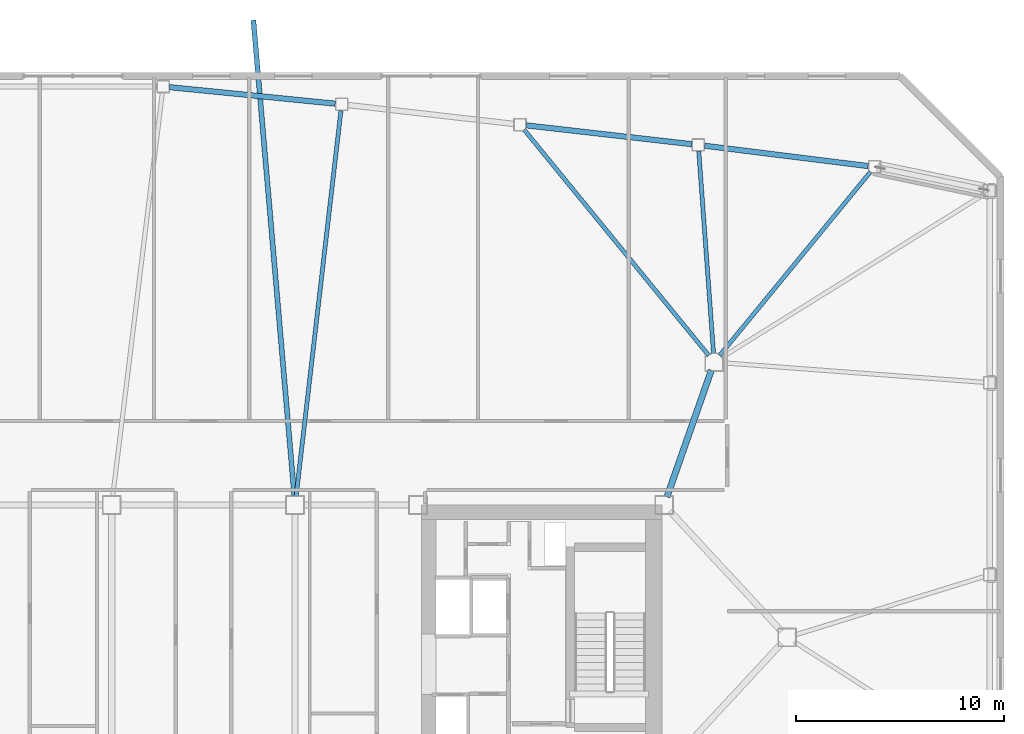
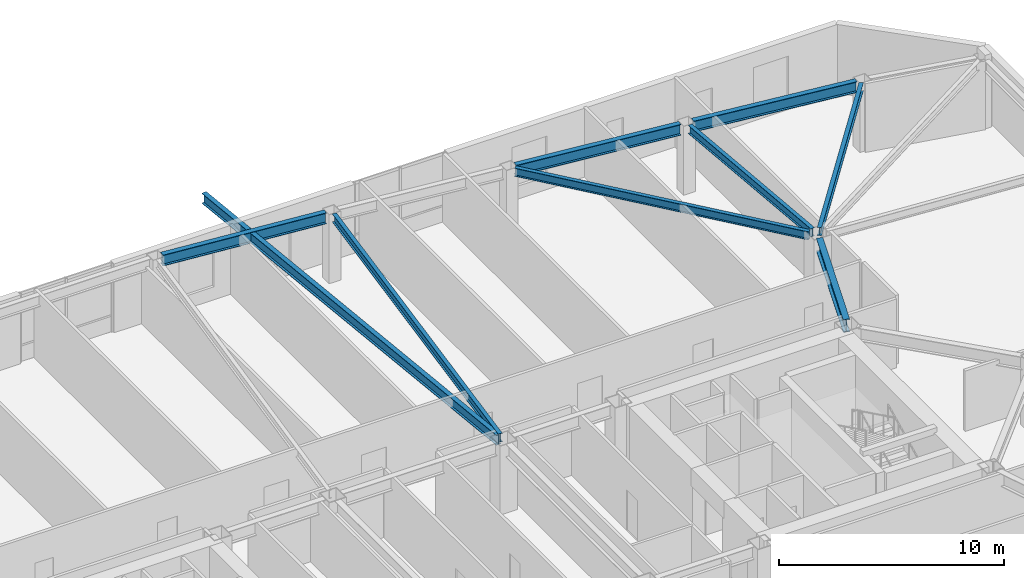
# One storey, part 7 of 18: 9 beams.
"""IFC4 building model written with IfcOpenShell, lengths in metres."""

from ifc_helpers import new_model, si_unit, direction, frame, origin, origin_2d, place, context, subcontext, project, spatial, i_section, extrude, material, material_profile, profile_set, type_object, element, save


model = new_model("IFC4")

# Units and contexts
model_context = context("Model", 3, precision=1e-05, world=origin(), true_north=direction((0.0, 1.0)))
body_context = subcontext(model_context, "Body", "Model", "MODEL_VIEW")
ifc_project = project(units=[si_unit("LENGTHUNIT", "METRE"), si_unit("AREAUNIT", "SQUARE_METRE"), si_unit("VOLUMEUNIT", "CUBIC_METRE"), si_unit("PLANEANGLEUNIT", "RADIAN"), si_unit("MASSUNIT", "GRAM", prefix="KILO")], contexts=[model_context])

# Site, building, storey
site_placement = place(None, origin())
site = spatial("IfcSite", under=ifc_project, at=site_placement, CompositionType="ELEMENT")
building_placement = place(site_placement, origin())
building = spatial("IfcBuilding", under=site, at=building_placement, Name="Tavrogorsk Clinical Tower", CompositionType="ELEMENT")
storey_placement = place(building_placement, frame((0.0, 0.0, 168.199951171875)))
storey = spatial("IfcBuildingStorey", under=building, at=storey_placement, Name="L38", CompositionType="ELEMENT", Elevation=168.199951171875)

# Beams
ifc_material_1 = material(Name="Structural steel S355", Category="steel")
ifc_material_profile_1 = material_profile(ifc_material_1, i_section(OverallWidth=0.199951171875, OverallDepth=0.449951171875, WebThickness=0.011474609375, FlangeThickness=0.01806640625, at=origin_2d()), Name="B-450x200x11.5x18")
ifc_profile_set_1 = profile_set([ifc_material_profile_1], Name="Structural steel S355")
beam_type_1 = type_object("IfcBeamType", Name="FloorBeam_B450", PredefinedType="BEAM", material=ifc_profile_set_1)
beam_1_placement = place(storey_placement, frame((24.76025390625, 13.516845703125, 3.51513671875), z_axis=(0.634632561694, 0.772814021377, 0.0), x_axis=(-0.772814021377, 0.634632561694, 0.0)))
element("IfcBeam", 1, at=beam_1_placement, inside=storey, type_object=beam_type_1, Name="L38 Radial Floor Beam N1", PredefinedType="BEAM", context=body_context, shape_type="SweptSolid", body=[
    extrude(i_section(OverallWidth=0.199951171875, OverallDepth=0.449951171875, WebThickness=0.011474609375, FlangeThickness=0.01806640625, at=origin_2d()), origin(), (0.0, 0.0, 1.0), 11.401123046875),
])
beam_2_placement = place(storey_placement, frame((24.469970703125, 13.60888671875, 3.51513671875), z_axis=(-0.072959198524, 0.997334926367, 0.0), x_axis=(-0.997334926367, -0.072959198524, 0.0)))
element("IfcBeam", 2, at=beam_2_placement, inside=storey, type_object=beam_type_1, Name="L38 Radial Floor Beam N2", PredefinedType="BEAM", context=body_context, shape_type="SweptSolid", body=[
    extrude(i_section(OverallWidth=0.199951171875, OverallDepth=0.449951171875, WebThickness=0.011474609375, FlangeThickness=0.01806640625, at=origin_2d()), origin(), (0.0, 0.0, 1.0), 9.7275390625),
])
beam_3_placement = place(storey_placement, frame((24.240478515625, 13.517333984375, 3.51513671875), z_axis=(-0.632957552123, 0.774186500277, 0.0), x_axis=(-0.774186500277, -0.632957552123, 0.0)))
element("IfcBeam", 3, at=beam_3_placement, inside=storey, type_object=beam_type_1, Name="L38 Radial Floor Beam N3", PredefinedType="BEAM", context=body_context, shape_type="SweptSolid", body=[
    extrude(i_section(OverallWidth=0.199951171875, OverallDepth=0.449951171875, WebThickness=0.011474609375, FlangeThickness=0.01806640625, at=origin_2d()), origin(), (0.0, 0.0, 1.0), 13.9970703125),
])
beam_4_placement = place(storey_placement, frame((4.447265625, 6.75732421875, 3.51513671875), z_axis=(0.115490633481, 0.993308569166, 0.0), x_axis=(-0.993308569166, 0.115490633481, 0.0)))
element("IfcBeam", 4, at=beam_4_placement, inside=storey, type_object=beam_type_1, Name="L38 Radial Floor Beam N4", PredefinedType="BEAM", context=body_context, shape_type="SweptSolid", body=[
    extrude(i_section(OverallWidth=0.199951171875, OverallDepth=0.449951171875, WebThickness=0.011474609375, FlangeThickness=0.01806640625, at=origin_2d()), origin(), (0.0, 0.0, 1.0), 18.628173828125),
])
ifc_material_2 = material(Name="Structural steel S390", Category="steel")
ifc_material_profile_2 = material_profile(ifc_material_2, i_section(OverallWidth=0.300048828125, OverallDepth=0.699951171875, WebThickness=0.01708984375, FlangeThickness=0.028076171875, at=origin_2d()), Name="B-700x300x17x28")
ifc_profile_set_2 = profile_set([ifc_material_profile_2], Name="Structural steel S390")
beam_type_2 = type_object("IfcBeamType", Name="PrimaryGirder_B700", PredefinedType="USERDEFINED", material=ifc_profile_set_2)
beam_5_placement = place(storey_placement, frame((24.364501953125, 12.81298828125, 3.39013671875), z_axis=(-0.330673031392, -0.94374538214, 0.0), x_axis=(0.94374538214, -0.330673031392, 0.0)))
element("IfcBeam", 5, at=beam_5_placement, inside=storey, type_object=beam_type_2, Name="L38 Spine Link Girder OPG-4", ObjectType="GIRDER", PredefinedType="USERDEFINED", context=body_context, shape_type="SweptSolid", body=[
    extrude(i_section(OverallWidth=0.300048828125, OverallDepth=0.699951171875, WebThickness=0.01708984375, FlangeThickness=0.028076171875, at=origin_2d()), origin(), (0.0, 0.0, 1.0), 6.43798828125),
])
ifc_material_3 = material(Name="Structural steel S390", Category="steel")
ifc_material_profile_3 = material_profile(ifc_material_3, i_section(OverallWidth=0.239990234375, OverallDepth=0.550048828125, WebThickness=0.013916015625, FlangeThickness=0.02197265625, at=origin_2d()), Name="B-550x240x14x22")
ifc_profile_set_3 = profile_set([ifc_material_profile_3], Name="Structural steel S390")
beam_type_3 = type_object("IfcBeamType", Name="SpandrelBeam_B550", PredefinedType="SPANDREL", material=ifc_profile_set_3)
beam_6_placement = place(storey_placement, frame((4.36474609375, 6.758544921875, 3.445068359375), z_axis=(-0.085704084898, 0.996320636056, 0.0), x_axis=(-0.996320636056, -0.085704084898, 0.0)))
element("IfcBeam", 6, at=beam_6_placement, inside=storey, type_object=beam_type_3, Name="L39 Spiral Terrace Cantilever Beam 2", PredefinedType="SPANDREL", context=body_context, shape_type="SweptSolid", body=[
    extrude(i_section(OverallWidth=0.239990234375, OverallDepth=0.550048828125, WebThickness=0.013916015625, FlangeThickness=0.02197265625, at=origin_2d()), origin(), (0.0, 0.0, 1.0), 22.926025390625),
])
ifc_material_4 = material(Name="Structural steel S390", Category="steel")
ifc_material_profile_4 = material_profile(ifc_material_4, i_section(OverallWidth=0.260009765625, OverallDepth=0.60009765625, WebThickness=0.014892578125, FlangeThickness=0.02392578125, at=origin_2d()), Name="B-600x260x15x24")
ifc_profile_set_4 = profile_set([ifc_material_profile_4], Name="Structural steel S390")
beam_type_4 = type_object("IfcBeamType", Name="SpandrelBeam_B600", PredefinedType="SPANDREL", material=ifc_profile_set_4)
beam_7_placement = place(storey_placement, frame((31.8857421875, 22.60400390625, 3.43994140625), z_axis=(-0.992347112015, 0.123479590521, 0.0), x_axis=(-0.123479590521, -0.992347112015, 0.0)))
element("IfcBeam", 7, at=beam_7_placement, inside=storey, type_object=beam_type_4, Name="L38 Perimeter Spandrel N1-N2", PredefinedType="SPANDREL", context=body_context, shape_type="SweptSolid", body=[
    extrude(i_section(OverallWidth=0.260009765625, OverallDepth=0.60009765625, WebThickness=0.014892578125, FlangeThickness=0.02392578125, at=origin_2d()), origin(), (0.0, 0.0, 1.0), 7.90283203125),
])
beam_8_placement = place(storey_placement, frame((23.431884765625, 23.652587890625, 3.43994140625), z_axis=(-0.993569841398, 0.113220891465, 0.0), x_axis=(-0.113220891465, -0.993569841398, 0.0)))
element("IfcBeam", 8, at=beam_8_placement, inside=storey, type_object=beam_type_4, Name="L38 Perimeter Spandrel N2-N3", PredefinedType="SPANDREL", context=body_context, shape_type="SweptSolid", body=[
    extrude(i_section(OverallWidth=0.260009765625, OverallDepth=0.60009765625, WebThickness=0.014892578125, FlangeThickness=0.02392578125, at=origin_2d()), origin(), (0.0, 0.0, 1.0), 7.9912109375),
])
beam_9_placement = place(storey_placement, frame((6.32763671875, 25.59716796875, 3.43994140625), z_axis=(-0.995074624158, 0.099128665666, 0.0), x_axis=(-0.099128665666, -0.995074624158, 0.0)))
element("IfcBeam", 9, at=beam_9_placement, inside=storey, type_object=beam_type_4, Name="L38 Perimeter Spandrel N4-N5", PredefinedType="SPANDREL", context=body_context, shape_type="SweptSolid", body=[
    extrude(i_section(OverallWidth=0.260009765625, OverallDepth=0.60009765625, WebThickness=0.014892578125, FlangeThickness=0.02392578125, at=origin_2d()), origin(), (0.0, 0.0, 1.0), 7.991943359375),
])

save(model, "model.ifc")
